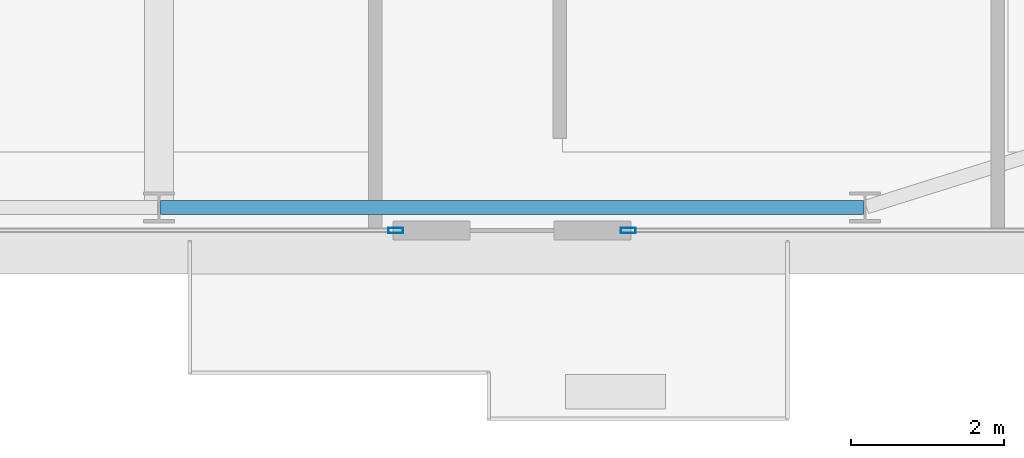
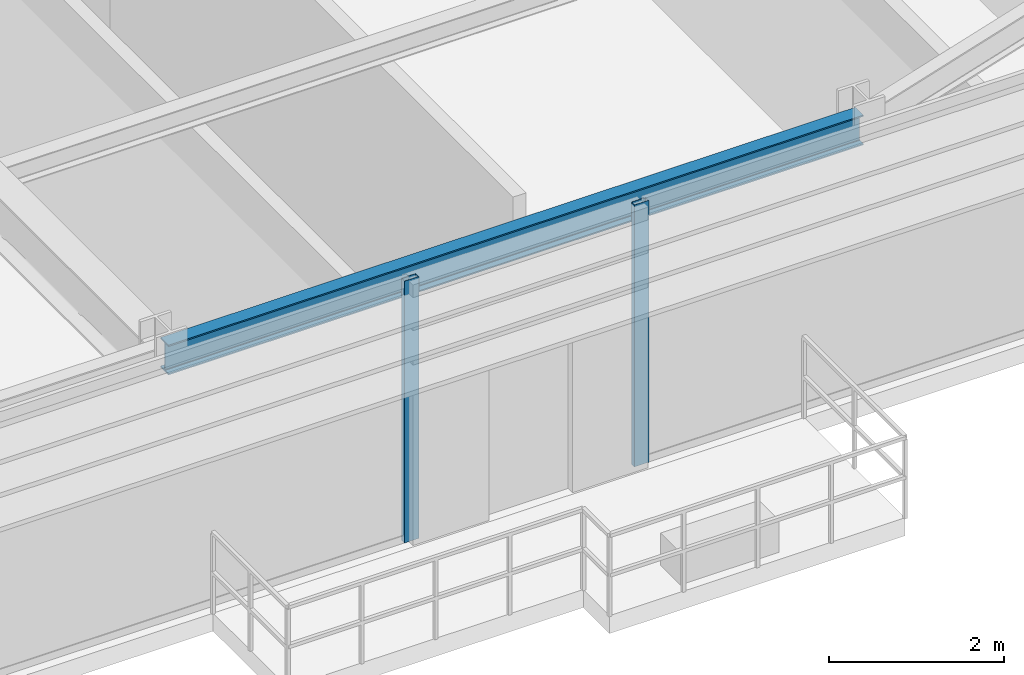
# One storey, part 13 of 35: 2 members, 1 beam, 2 elements without a shape of their own.
"""IFC4 building model written with IfcOpenShell, lengths in metres."""

from ifc_helpers import new_model, si_unit, direction, frame, origin, origin_2d, place, context, subcontext, project, spatial, hollow_rectangle, i_section, extrude, source, transform, mapped, material, layer, layer_set, material_profile, profile_set, type_object, type_shapes, element, aggregate, save


model = new_model("IFC4")

# Units and contexts
model_context = context("Model", 3, precision=1e-05, world=origin(), true_north=direction((0.0, 1.0)))
body_context = subcontext(model_context, "Body", "Model", "MODEL_VIEW")
ifc_project = project(units=[si_unit("LENGTHUNIT", "METRE"), si_unit("AREAUNIT", "SQUARE_METRE"), si_unit("VOLUMEUNIT", "CUBIC_METRE"), si_unit("PLANEANGLEUNIT", "RADIAN"), si_unit("MASSUNIT", "GRAM", prefix="KILO")], contexts=[model_context])

# Site, building, storey
site_placement = place(None, origin())
site = spatial("IfcSite", under=ifc_project, at=site_placement, CompositionType="ELEMENT")
building_placement = place(site_placement, origin())
building = spatial("IfcBuilding", under=site, at=building_placement, Name="Varnel Quay Broadcast Tower", CompositionType="ELEMENT")
storey_placement = place(building_placement, frame((0.0, 0.0, 66.60009765625)))
storey = spatial("IfcBuildingStorey", under=building, at=storey_placement, Name="L15", CompositionType="ELEMENT", Elevation=66.60009765625)

# Beam
ifc_material_1 = material(Name="Structural Steel CSA G40.21 350W", Category="steel")
ifc_material_profile_1 = material_profile(ifc_material_1, i_section(OverallWidth=0.180908203125, OverallDepth=0.4169921875, WebThickness=0.010986328125, FlangeThickness=0.018310546875, FilletRadius=0.011962890625, at=origin_2d()), Name="W410X85")
ifc_profile_set_1 = profile_set([ifc_material_profile_1], Name="Structural Steel CSA G40.21 350W")
beam_type = type_object("IfcBeamType", Name="Beam_W410X85", PredefinedType="SPANDREL", material=ifc_profile_set_1)
shared_shape_1 = source(origin(), body_context, "Body", "SweptSolid", [
    extrude(i_section(OverallWidth=0.180908203125, OverallDepth=0.4169921875, WebThickness=0.010986328125, FlangeThickness=0.018310546875, FilletRadius=0.011962890625, at=origin_2d()), origin(), (0.0, 0.0, 1.0), 9.159912109375),
])
type_shapes(beam_type, [shared_shape_1])
beam_placement = place(storey_placement, frame((43.219970703125, 1.64990234375, 3.44140625), z_axis=(1.0, 0.0, 0.0), x_axis=(0.0, 1.0, 0.0)))
element("IfcBeam", 1, at=beam_placement, inside=storey, type_object=beam_type, Name="L15 South Spandrel TC-S4-TC-S5", PredefinedType="SPANDREL", context=body_context, shape_type="MappedRepresentation", body=[
    mapped(shared_shape_1, transform((0.0, 0.0, 0.0), x_axis=(1.0, 0.0, 0.0), y_axis=(0.0, 1.0, 0.0), z_axis=(0.0, 0.0, 1.0), scale=1.0)),
])

# Curtain wall, member
ifc_material_2 = material(Name="Anodised Bronze Aluminium 6063-T6", Category="aluminium")
ifc_layer = layer(ifc_material_2, 0.18994140625, Name="Anodised Bronze Aluminium 6063-T6")
ifc_layer_set = layer_set([ifc_layer], Name="Anodised Bronze Aluminium 6063-T6")
curtain_wall_type = type_object("IfcCurtainWallType", Name="CW_LowerTower", PredefinedType="NOTDEFINED", material=ifc_layer_set)
curtain_wall_1_placement = place(storey_placement, origin())
curtain_wall_1 = element("IfcCurtainWall", 2, at=curtain_wall_1_placement, inside=storey, type_object=curtain_wall_type, Name="L15 South Unitised Curtain Wall 2", PredefinedType="NOTDEFINED")
ifc_material_profile_2 = material_profile(ifc_material_2, hollow_rectangle(XDim=0.070068359375, YDim=0.18994140625, WallThickness=0.00390625, at=origin_2d()), Name="ALU70X190X4")
ifc_profile_set_2 = profile_set([ifc_material_profile_2], Name="Anodised Bronze Aluminium 6063-T6")
member_type = type_object("IfcMemberType", Name="Mull_CWS-02", PredefinedType="MULLION", material=ifc_profile_set_2)
shared_shape_2 = source(origin(), body_context, "Body", "SweptSolid", [
    extrude(hollow_rectangle(XDim=0.070068359375, YDim=0.18994140625, WallThickness=0.00390625, at=origin_2d()), origin(), (0.0, 0.0, 1.0), 3.64990234375),
])
type_shapes(member_type, [shared_shape_2])
member_1_placement = place(storey_placement, frame((46.284912109375, 1.35009765625, 0.0), z_axis=(0.0, 0.0, 1.0), x_axis=(0.0, 1.0, 0.0)))
member_1 = element("IfcMember", 3, at=member_1_placement, type_object=member_type, Name="CWS-02 mullion 3", PredefinedType="MULLION", context=body_context, shape_type="MappedRepresentation", body=[
    mapped(shared_shape_2, transform((0.0, 0.0, 0.0), x_axis=(1.0, 0.0, 0.0), y_axis=(0.0, 1.0, 0.0), z_axis=(0.0, 0.0, 1.0), scale=1.0)),
])
aggregate(curtain_wall_1, [member_1])

curtain_wall_2_placement = place(storey_placement, origin())
curtain_wall_2 = element("IfcCurtainWall", 4, at=curtain_wall_2_placement, inside=storey, type_object=curtain_wall_type, Name="L15 South Unitised Curtain Wall 3", PredefinedType="NOTDEFINED")
member_2_placement = place(storey_placement, frame((49.31494140625, 1.35009765625, 0.0), z_axis=(0.0, 0.0, 1.0), x_axis=(0.0, 1.0, 0.0)))
member_2 = element("IfcMember", 5, at=member_2_placement, type_object=member_type, Name="CWS-02 mullion 1", PredefinedType="MULLION", context=body_context, shape_type="MappedRepresentation", body=[
    mapped(shared_shape_2, transform((0.0, 0.0, 0.0), x_axis=(1.0, 0.0, 0.0), y_axis=(0.0, 1.0, 0.0), z_axis=(0.0, 0.0, 1.0), scale=1.0)),
])
aggregate(curtain_wall_2, [member_2])

save(model, "model.ifc")
